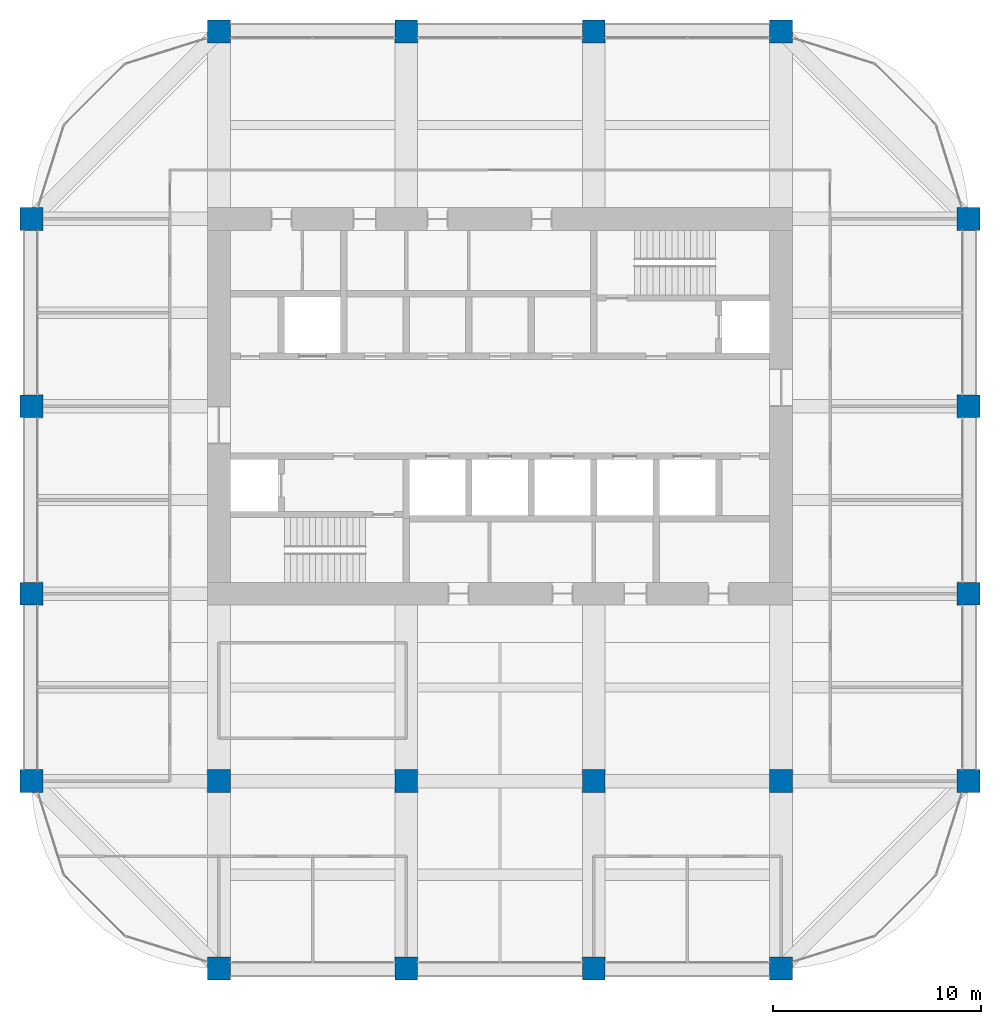
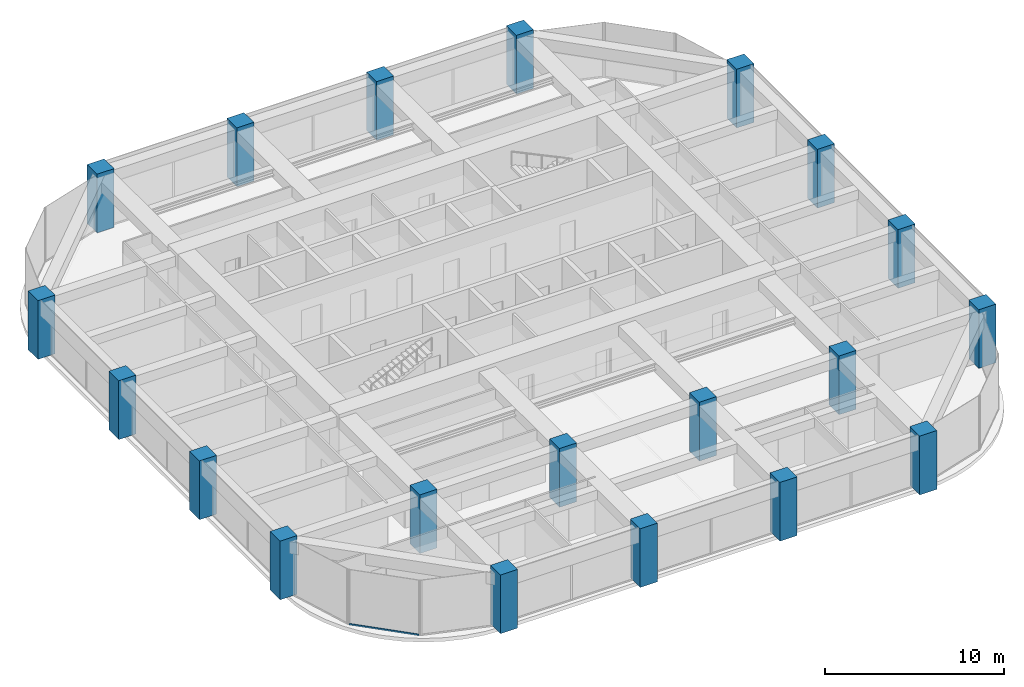
# One storey, part 1 of 44: 20 columns, 1 member, 1 element without a shape of its own.
"""IFC4 building model written with IfcOpenShell, lengths in metres."""

from ifc_helpers import new_model, si_unit, direction, frame, origin, origin_2d, place, context, subcontext, project, spatial, rectangle, hollow_rectangle, extrude, material, material_profile, profile_set, type_object, element, aggregate, save


model = new_model("IFC4")

# Units and contexts
model_context = context("Model", 3, precision=1e-05, world=origin(), true_north=direction((0.0, 1.0)))
body_context = subcontext(model_context, "Body", "Model", "MODEL_VIEW")
ifc_project = project(units=[si_unit("LENGTHUNIT", "METRE"), si_unit("AREAUNIT", "SQUARE_METRE"), si_unit("VOLUMEUNIT", "CUBIC_METRE"), si_unit("PLANEANGLEUNIT", "RADIAN"), si_unit("MASSUNIT", "GRAM", prefix="KILO")], contexts=[model_context])

# Site, building, storey
site_placement = place(None, origin())
site = spatial("IfcSite", under=ifc_project, at=site_placement, CompositionType="ELEMENT")
building_placement = place(site_placement, origin())
building = spatial("IfcBuilding", under=site, at=building_placement, Name="Zorevar Civic Tower", CompositionType="ELEMENT")
storey_placement = place(building_placement, frame((0.0, 0.0, 259.39990234375)))
storey = spatial("IfcBuildingStorey", under=building, at=storey_placement, Name="L63", CompositionType="ELEMENT", Elevation=259.39990234375)

# Columns
ifc_material_1 = material(Name="Concrete C50/60", Category="concrete")
ifc_material_profile_1 = material_profile(ifc_material_1, rectangle(XDim=1.10009765625, YDim=1.10009765625, at=origin_2d()), Name="RC 1100x1100")
ifc_profile_set_1 = profile_set([ifc_material_profile_1], Name="Concrete C50/60")
column_type = type_object("IfcColumnType", Name="Column RC 1100x1100", PredefinedType="COLUMN", material=ifc_profile_set_1)
for number, where, z_axis, x_axis, name in (
    (1, (9.0, 9.0, 0.0), (0.0, 0.0, 1.0), (1.0, 0.0, 0.0), "Column 3B L63"),
    (2, (9.0, 18.0, 0.0), (0.0, 0.0, 1.0), (1.0, 0.0, 0.0), "Column 3C L63"),
    (3, (9.0, 27.0, 0.0), (0.0, 0.0, 1.0), (1.0, 0.0, 0.0), "Column 3D L63"),
    (4, (9.0, 36.0, 0.0), (0.0, 0.0, 1.0), (1.0, 0.0, 0.0), "Column 3E L63"),
    (5, (18.0, 0.0, 0.0), (0.0, 0.0, 1.0), (1.0, 0.0, 0.0), "Column 4A L63"),
    (6, (18.0, 9.0, 0.0), (0.0, 0.0, 1.0), (1.0, 0.0, 0.0), "Column 4B L63"),
    (7, (18.0, 45.0, 0.0), (0.0, 0.0, 1.0), (1.0, 0.0, 0.0), "Column 4F L63"),
    (8, (27.0, 0.0, 0.0), (0.0, 0.0, 1.0), (1.0, 0.0, 0.0), "Column 5A L63"),
    (9, (27.0, 9.0, 0.0), (0.0, 0.0, 1.0), (1.0, 0.0, 0.0), "Column 5B L63"),
    (10, (27.0, 45.0, 0.0), (0.0, 0.0, 1.0), (1.0, 0.0, 0.0), "Column 5F L63"),
    (11, (36.0, 0.0, 0.0), (0.0, 0.0, 1.0), (1.0, 0.0, 0.0), "Column 6A L63"),
    (12, (36.0, 9.0, 0.0), (0.0, 0.0, 1.0), (1.0, 0.0, 0.0), "Column 6B L63"),
    (13, (36.0, 45.0, 0.0), (0.0, 0.0, 1.0), (1.0, 0.0, 0.0), "Column 6F L63"),
    (14, (45.0, 0.0, 0.0), (0.0, 0.0, 1.0), (1.0, 0.0, 0.0), "Column 7A L63"),
    (15, (45.0, 9.0, 0.0), (0.0, 0.0, 1.0), (1.0, 0.0, 0.0), "Column 7B L63"),
    (16, (45.0, 45.0, 0.0), (0.0, 0.0, 1.0), (1.0, 0.0, 0.0), "Column 7F L63"),
    (17, (54.0, 9.0, 0.0), (0.0, 0.0, 1.0), (1.0, 0.0, 0.0), "Column 8B L63"),
    (18, (54.0, 18.0, 0.0), (0.0, 0.0, 1.0), (1.0, 0.0, 0.0), "Column 8C L63"),
    (19, (54.0, 27.0, 0.0), (0.0, 0.0, 1.0), (1.0, 0.0, 0.0), "Column 8D L63"),
    (20, (54.0, 36.0, 0.0), (0.0, 0.0, 1.0), (1.0, 0.0, 0.0), "Column 8E L63"),
):
    element("IfcColumn", number, at=place(storey_placement, frame(where, z_axis=z_axis, x_axis=x_axis)), inside=storey, type_object=column_type, Name=name, PredefinedType="COLUMN", context=body_context, shape_type="SweptSolid", body=[
        extrude(rectangle(XDim=1.10009765625, YDim=1.10009765625, at=origin_2d()), origin(), (0.0, 0.0, 1.0), 4.0),
    ])

# Curtain wall, member
ifc_material_2 = material(Name="Dark grey solar-control glass in black aluminium frame", Category="aluminium")
curtain_wall_type = type_object("IfcCurtainWallType", Name="Curtain wall CW5 top zone", PredefinedType="NOTDEFINED", material=ifc_material_2)
curtain_wall_placement = place(storey_placement, origin())
curtain_wall = element("IfcCurtainWall", 21, at=curtain_wall_placement, inside=storey, type_object=curtain_wall_type, Name="CW5 L63", PredefinedType="NOTDEFINED")
ifc_material_3 = material(Name="Aluminium, black anodised", Category="aluminium")
ifc_material_profile_2 = material_profile(ifc_material_3, hollow_rectangle(XDim=0.06005859375, YDim=0.1201171875, WallThickness=0.0029296875, at=origin_2d()), Name="AL 120x60x3")
ifc_profile_set_2 = profile_set([ifc_material_profile_2], Name="Aluminium, black anodised")
member_type = type_object("IfcMemberType", Name="CW5 transom AL 120x60x3", PredefinedType="USERDEFINED", material=ifc_profile_set_2)
member_placement = place(storey_placement, frame((10.6015625, 4.44970703125, 0.030029296875), z_axis=(0.707106781187, -0.707106781187, 0.0), x_axis=(0.707106781187, 0.707106781187, 0.0)))
member = element("IfcMember", 22, at=member_placement, type_object=member_type, Name="CW5 sill transom", ObjectType="TRANSOM", PredefinedType="USERDEFINED", context=body_context, shape_type="SweptSolid", body=[
    extrude(hollow_rectangle(XDim=0.06005859375, YDim=0.1201171875, WallThickness=0.0029296875, at=origin_2d()), origin(), (0.0, 0.0, 1.0), 4.02783203125),
])
aggregate(curtain_wall, [member])

save(model, "model.ifc")
